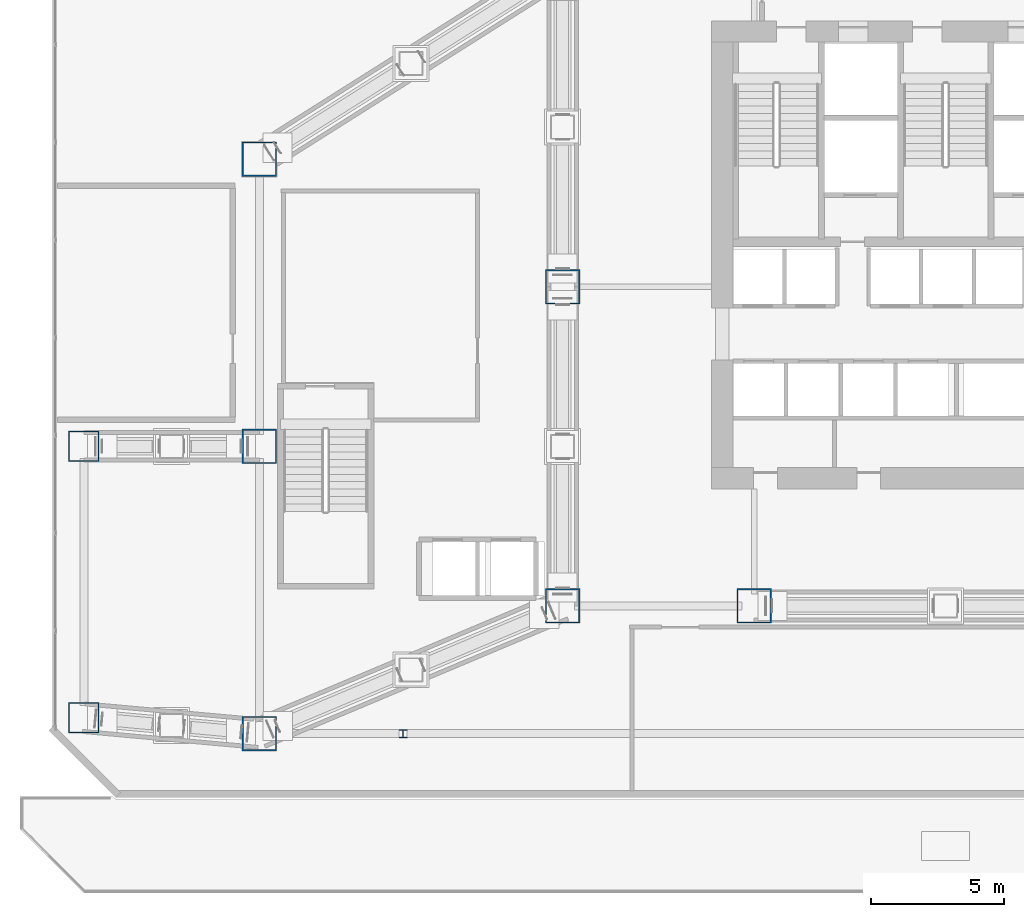
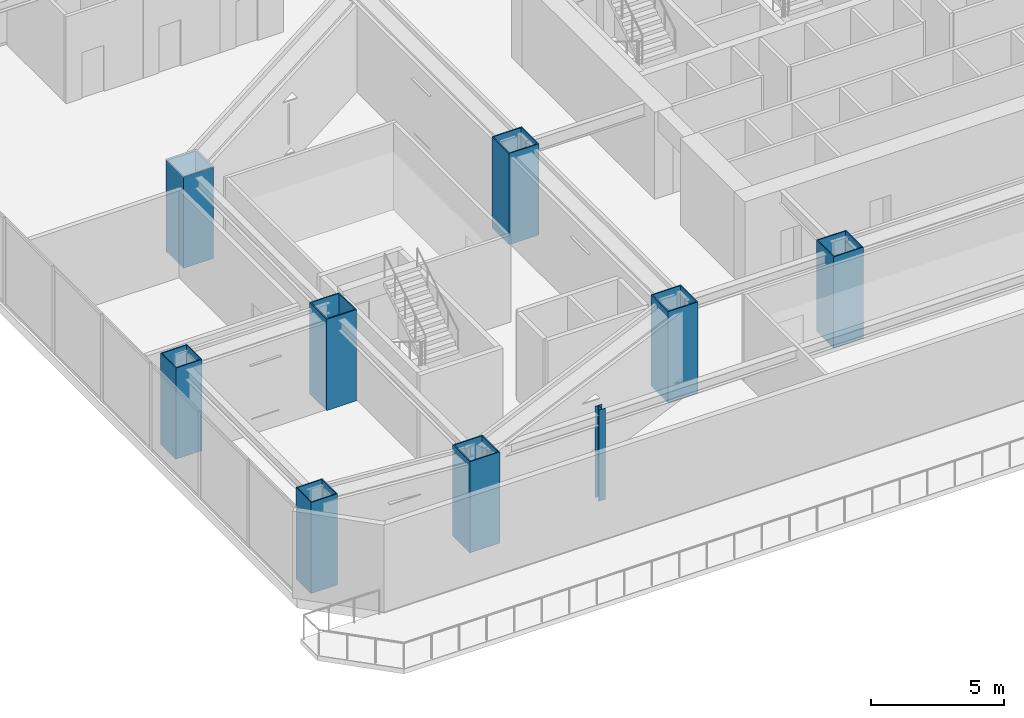
# One storey, part 1 of 39: 9 columns.
"""IFC4 building model written with IfcOpenShell, lengths in metres."""

from ifc_helpers import new_model, si_unit, direction, frame, origin, origin_2d, place, context, subcontext, project, spatial, hollow_rectangle, i_section, extrude, material, material_profile, profile_set, type_object, element, save


model = new_model("IFC4")

# Units and contexts
model_context = context("Model", 3, precision=1e-05, world=origin(), true_north=direction((0.0, 1.0)))
body_context = subcontext(model_context, "Body", "Model", "MODEL_VIEW")
ifc_project = project(units=[si_unit("LENGTHUNIT", "METRE"), si_unit("AREAUNIT", "SQUARE_METRE"), si_unit("VOLUMEUNIT", "CUBIC_METRE"), si_unit("PLANEANGLEUNIT", "RADIAN"), si_unit("MASSUNIT", "GRAM", prefix="KILO")], contexts=[model_context])

# Site, building, storey
site_placement = place(None, origin())
site = spatial("IfcSite", under=ifc_project, at=site_placement, CompositionType="ELEMENT")
building_placement = place(site_placement, origin())
building = spatial("IfcBuilding", under=site, at=building_placement, Name="Haolan Belvedere Tower", CompositionType="ELEMENT")
storey_placement = place(building_placement, frame((0.0, 0.0, 19.800048828125)))
storey = spatial("IfcBuildingStorey", under=building, at=storey_placement, Name="L04", CompositionType="ELEMENT", Elevation=19.800048828125)

# Columns
ifc_material = material(Name="Steel Q355B", Category="steel")
ifc_material_profile_1 = material_profile(ifc_material, hollow_rectangle(XDim=1.14990234375, YDim=1.14990234375, WallThickness=0.0419921875, at=origin_2d()), Name="Steel Q355B")
ifc_profile_set_1 = profile_set([ifc_material_profile_1], Name="Steel Q355B")
column_type_1 = type_object("IfcColumnType", Name="COL-BOX1150x1150x42", PredefinedType="COLUMN", material=ifc_profile_set_1)
for number, where, z_axis, x_axis, name in (
    (1, (6.0, 17.39990234375, 0.0), (0.0, 0.0, 1.0), (1.0, 0.0, 0.0), "L04 column MC-T1-SW (BOX1150x1150x42)"),
    (2, (6.0, 27.60009765625, 0.0), (0.0, 0.0, 1.0), (1.0, 0.0, 0.0), "L04 column MC-T1-NW (BOX1150x1150x42)"),
):
    element("IfcColumn", number, at=place(storey_placement, frame(where, z_axis=z_axis, x_axis=x_axis)), inside=storey, type_object=column_type_1, Name=name, PredefinedType="COLUMN", context=body_context, shape_type="SweptSolid", body=[
        extrude(hollow_rectangle(XDim=1.14990234375, YDim=1.14990234375, WallThickness=0.0419921875, at=origin_2d()), origin(), (0.0, 0.0, 1.0), 4.199951171875),
    ])
ifc_material_profile_2 = material_profile(ifc_material, hollow_rectangle(XDim=1.300048828125, YDim=1.300048828125, WallThickness=0.048095703125, at=origin_2d()), Name="Steel Q355B")
ifc_profile_set_2 = profile_set([ifc_material_profile_2], Name="Steel Q355B")
column_type_2 = type_object("IfcColumnType", Name="COL-BOX1300x1300x48", PredefinedType="COLUMN", material=ifc_profile_set_2)
for number, where, z_axis, x_axis, name in (
    (3, (24.0, 21.60009765625, 0.0), (0.0, 0.0, 1.0), (1.0, 0.0, 0.0), "L04 column MC-T3-SW (BOX1300x1300x48)"),
    (4, (24.0, 33.60009765625, 0.0), (0.0, 0.0, 1.0), (1.0, 0.0, 0.0), "L04 column MC-T3-MW (BOX1300x1300x48)"),
    (5, (31.199951171875, 21.60009765625, 0.0), (0.0, 0.0, 1.0), (1.0, 0.0, 0.0), "L04 column MC-T3-S1 (BOX1300x1300x48)"),
    (6, (12.60009765625, 16.800048828125, 0.0), (0.0, 0.0, 1.0), (1.0, 0.0, 0.0), "L04 column MC-T2-SW (BOX1300x1300x48)"),
    (7, (12.60009765625, 27.60009765625, 0.0), (0.0, 0.0, 1.0), (1.0, 0.0, 0.0), "L04 column MC-T2-MW (BOX1300x1300x48)"),
    (8, (12.60009765625, 38.39990234375, 0.0), (0.0, 0.0, 1.0), (1.0, 0.0, 0.0), "L04 column MC-T2-NW (BOX1300x1300x48)"),
):
    element("IfcColumn", number, at=place(storey_placement, frame(where, z_axis=z_axis, x_axis=x_axis)), inside=storey, type_object=column_type_2, Name=name, PredefinedType="COLUMN", context=body_context, shape_type="SweptSolid", body=[
        extrude(hollow_rectangle(XDim=1.300048828125, YDim=1.300048828125, WallThickness=0.048095703125, at=origin_2d()), origin(), (0.0, 0.0, 1.0), 4.199951171875),
    ])
ifc_material_profile_3 = material_profile(ifc_material, i_section(OverallWidth=0.300048828125, OverallDepth=0.300048828125, WebThickness=0.010009765625, FlangeThickness=0.014892578125, FilletRadius=0.01806640625, at=origin_2d()), Name="Steel Q355B")
ifc_profile_set_3 = profile_set([ifc_material_profile_3], Name="Steel Q355B")
column_type_3 = type_object("IfcColumnType", Name="COL-HW300x300x10x15", PredefinedType="COLUMN", material=ifc_profile_set_3)
column_placement = place(storey_placement, frame((18.0, 16.800048828125, 0.0), z_axis=(0.0, 0.0, 1.0), x_axis=(1.0, 0.0, 0.0)))
element("IfcColumn", 9, at=column_placement, inside=storey, type_object=column_type_3, Name="L04 column PC-CS4-W (HW300x300x10x15)", PredefinedType="COLUMN", context=body_context, shape_type="SweptSolid", body=[
    extrude(i_section(OverallWidth=0.300048828125, OverallDepth=0.300048828125, WebThickness=0.010009765625, FlangeThickness=0.014892578125, FilletRadius=0.01806640625, at=origin_2d()), origin(), (0.0, 0.0, 1.0), 4.199951171875),
])

save(model, "model.ifc")
